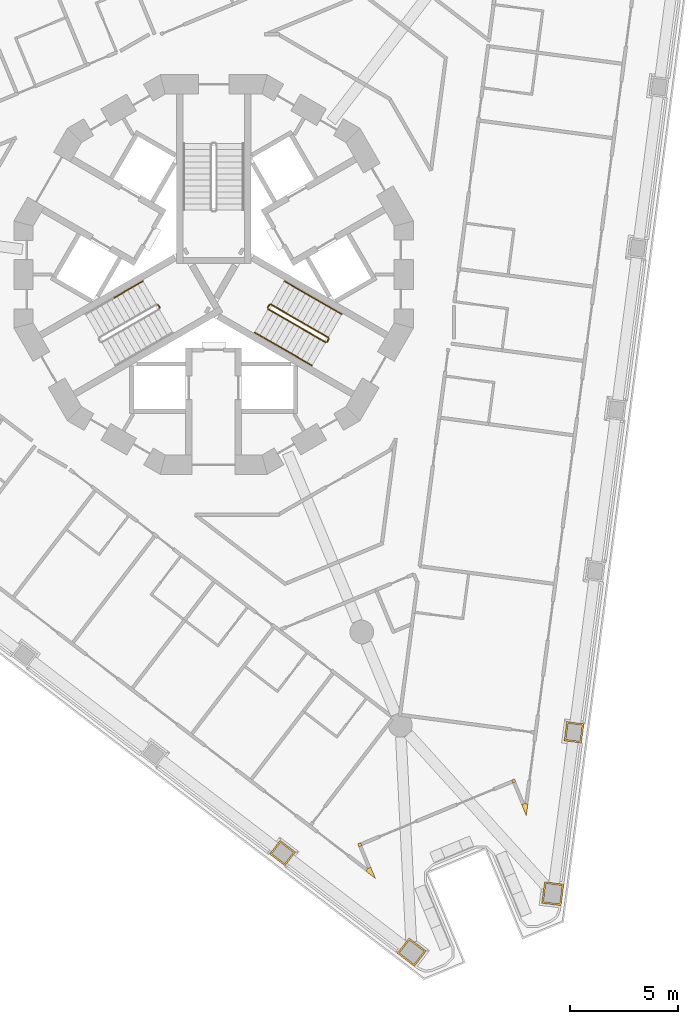
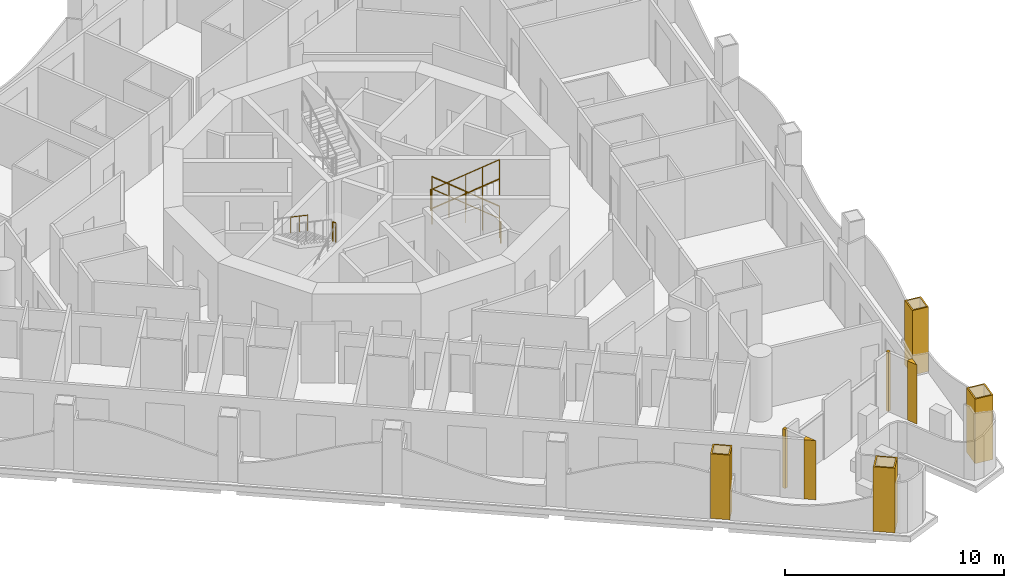
# One storey, part 14 of 18: 10 railings, 8 coverings.
"""IFC4 building model written with IfcOpenShell, lengths in metres."""

from ifc_helpers import new_model, si_unit, direction, frame, origin, origin_2d, place, context, subcontext, project, spatial, polyline, circle, outline, extrude, material, layer, layer_set, type_object, element, save


model = new_model("IFC4")

# Units and contexts
model_context = context("Model", 3, precision=1e-05, world=origin(), true_north=direction((0.0, 1.0)))
body_context = subcontext(model_context, "Body", "Model", "MODEL_VIEW")
ifc_project = project(units=[si_unit("LENGTHUNIT", "METRE"), si_unit("AREAUNIT", "SQUARE_METRE"), si_unit("VOLUMEUNIT", "CUBIC_METRE"), si_unit("PLANEANGLEUNIT", "RADIAN"), si_unit("MASSUNIT", "GRAM", prefix="KILO")], contexts=[model_context])

# Site, building, storey
site_placement = place(None, origin())
site = spatial("IfcSite", under=ifc_project, at=site_placement, CompositionType="ELEMENT")
building_placement = place(site_placement, origin())
building = spatial("IfcBuilding", under=site, at=building_placement, Name="Trine Commons Tower", CompositionType="ELEMENT")
storey_placement = place(building_placement, frame((0.0, 0.0, 145.800048828125)))
storey = spatial("IfcBuildingStorey", under=building, at=storey_placement, Name="L37", CompositionType="ELEMENT", Elevation=145.800048828125)

# Coverings
ifc_material_1 = material(Name="Aluminium-framed insulated wall panel", Category="aluminium")
ifc_layer_1 = layer(ifc_material_1, 0.14990234375)
ifc_layer_set_1 = layer_set([ifc_layer_1], Name="Aluminium-framed insulated wall panel")
covering_type_1 = type_object("IfcCoveringType", Name="Glazing corner post, aluminium", PredefinedType="CLADDING", material=ifc_layer_set_1)
covering_1_placement = place(storey_placement, origin())
element("IfcCovering", 1, at=covering_1_placement, inside=storey, type_object=covering_type_1, Name="Glazing corner post 4-09", PredefinedType="CLADDING", context=body_context, shape_type="SweptSolid", body=[
    extrude(outline(polyline([(94.2939453125, 37.89501953125), (94.50830078125, 37.377685546875), (94.581298828125, 37.932861328125), (94.4326171875, 37.952392578125), (94.4326171875, 37.952392578125), (94.2939453125, 37.89501953125)])), origin(), (0.0, 0.0, 1.0), 3.300048828125),
])
covering_2_placement = place(storey_placement, origin())
element("IfcCovering", 2, at=covering_2_placement, inside=storey, type_object=covering_type_1, Name="Glazing corner post 4-10", PredefinedType="CLADDING", context=body_context, shape_type="SweptSolid", body=[
    extrude(outline(polyline([(93.821044921875, 39.03662109375), (93.87841796875, 38.89794921875), (93.87841796875, 38.89794921875), (94.01708984375, 38.955322265625), (93.959716796875, 39.093994140625), (93.821044921875, 39.03662109375)])), origin(), (0.0, 0.0, 1.0), 3.300048828125),
])
covering_3_placement = place(storey_placement, origin())
element("IfcCovering", 3, at=covering_3_placement, inside=storey, type_object=covering_type_1, Name="Glazing corner post 4-11", PredefinedType="CLADDING", context=body_context, shape_type="SweptSolid", body=[
    extrude(outline(polyline([(86.73681640625, 35.93994140625), (86.87548828125, 35.997314453125), (86.818115234375, 36.135986328125), (86.679443359375, 36.07861328125), (86.73681640625, 35.93994140625)])), origin(), (0.0, 0.0, 1.0), 3.300048828125),
])
covering_4_placement = place(storey_placement, origin())
element("IfcCovering", 4, at=covering_4_placement, inside=storey, type_object=covering_type_1, Name="Glazing corner post 4-12", PredefinedType="CLADDING", context=body_context, shape_type="SweptSolid", body=[
    extrude(outline(polyline([(87.06103515625, 34.81787109375), (87.505126953125, 34.47705078125), (87.291015625, 34.994140625), (87.15234375, 34.936767578125), (87.06103515625, 34.81787109375)])), origin(), (0.0, 0.0, 1.0), 3.300048828125),
])
ifc_material_2 = material(Name="Limestone, honed", Category="masonry")
ifc_layer_2 = layer(ifc_material_2, 0.074951171875)
ifc_layer_set_2 = layer_set([ifc_layer_2], Name="Limestone, honed")
covering_type_2 = type_object("IfcCoveringType", Name="Limestone column cladding 75", PredefinedType="CLADDING", material=ifc_layer_set_2)
covering_5_placement = place(storey_placement, origin())
element("IfcCovering", 5, at=covering_5_placement, inside=storey, type_object=covering_type_2, Name="Limestone pier cladding 4-01", PredefinedType="CLADDING", context=body_context, shape_type="SweptSolid", body=[
    extrude(outline(polyline([(89.065673828125, 31.716796875), (88.517578125, 31.002685546875), (89.31103515625, 30.39404296875), (89.85888671875, 31.10791015625), (89.065673828125, 31.716796875)]), holes=[polyline([(89.079345703125, 31.611572265625), (88.622802734375, 31.0166015625), (89.297119140625, 30.499267578125), (89.75390625, 31.09423828125), (89.079345703125, 31.611572265625)])]), origin(), (0.0, 0.0, 1.0), 3.599853515625),
])
covering_6_placement = place(storey_placement, origin())
element("IfcCovering", 6, at=covering_6_placement, inside=storey, type_object=covering_type_2, Name="Limestone pier cladding 4-02", PredefinedType="CLADDING", context=body_context, shape_type="SweptSolid", body=[
    extrude(outline(polyline([(83.08349609375, 36.243896484375), (82.596435546875, 35.609375), (83.310302734375, 35.061279296875), (83.79736328125, 35.696044921875), (83.08349609375, 36.243896484375)]), holes=[polyline([(83.09716796875, 36.138916015625), (82.701416015625, 35.623046875), (83.296630859375, 35.16650390625), (83.6923828125, 35.682373046875), (83.09716796875, 36.138916015625)])]), origin(), (0.0, 0.0, 1.0), 3.599853515625),
])
covering_7_placement = place(storey_placement, origin())
element("IfcCovering", 7, at=covering_7_placement, inside=storey, type_object=covering_type_2, Name="Limestone pier cladding 4-23", PredefinedType="CLADDING", context=body_context, shape_type="SweptSolid", body=[
    extrude(outline(polyline([(97.1787109375, 41.6494140625), (96.385498046875, 41.75390625), (96.26806640625, 40.86181640625), (97.06103515625, 40.757080078125), (97.1787109375, 41.6494140625)]), holes=[polyline([(97.094482421875, 41.5849609375), (96.449951171875, 41.669921875), (96.35205078125, 40.92626953125), (96.99658203125, 40.84130859375), (97.094482421875, 41.5849609375)])]), origin(), (0.0, 0.0, 1.0), 3.599853515625),
])
covering_8_placement = place(storey_placement, origin())
element("IfcCovering", 8, at=covering_8_placement, inside=storey, type_object=covering_type_2, Name="Limestone pier cladding 4-24", PredefinedType="CLADDING", context=body_context, shape_type="SweptSolid", body=[
    extrude(outline(polyline([(96.2490234375, 34.205078125), (95.356689453125, 34.32275390625), (95.226318359375, 33.331298828125), (96.118408203125, 33.213623046875), (96.2490234375, 34.205078125)]), holes=[polyline([(96.164794921875, 34.140625), (95.42138671875, 34.238525390625), (95.310302734375, 33.395751953125), (96.053955078125, 33.2978515625), (96.164794921875, 34.140625)])]), origin(), (0.0, 0.0, 1.0), 3.599853515625),
])

# Railings
ifc_material_3 = material(Name="Stainless steel balustrade", Category="steel")
railing_type_1 = type_object("IfcRailingType", Name="Stair guard, steel balustrade 1100", PredefinedType="GUARDRAIL", material=ifc_material_3)
railing_1_placement = place(storey_placement, frame((77.490966796875, 60.96484375, 1.800048828125)))
element("IfcRailing", 9, at=railing_1_placement, inside=storey, type_object=railing_type_1, Name="L37 ST2B stair guard 2", PredefinedType="GUARDRAIL", context=body_context, shape_type="SweptSolid", body=[
    extrude(circle(Radius=0.02392578125, at=origin_2d()), frame((0.0, 0.0, 1.076171875), z_axis=(-0.501036270542, 0.865426285481, 0.0), x_axis=(-0.865426285481, -0.501036270542, 0.0)), (0.0, 0.0, 1.0), 0.150146484375),
    extrude(circle(Radius=0.02099609375, at=origin_2d()), origin(), (0.0, 0.0, 1.0), 1.052001953125),
    extrude(circle(Radius=0.02099609375, at=origin_2d()), frame((-0.0751953125, 0.1298828125, 0.0)), (0.0, 0.0, 1.0), 1.052001953125),
])
railing_2_placement = place(storey_placement, frame((85.31982421875, 59.572998046875, 0.14990234375)))
element("IfcRailing", 10, at=railing_2_placement, inside=storey, type_object=railing_type_1, Name="L37 ST3B stair guard 1", PredefinedType="GUARDRAIL", context=body_context, shape_type="SweptSolid", body=[
    extrude(circle(Radius=0.02392578125, at=origin_2d()), frame((0.0, 0.0, 1.076171875), z_axis=(-0.763379768245, 0.440728498818, 0.472239049384), x_axis=(-0.499992328818, -0.866029832698, 0.0)), (0.0, 0.0, 1.0), 3.494384765625),
    extrude(circle(Radius=0.02099609375, at=origin_2d()), origin(), (0.0, 0.0, 1.0), 1.052001953125),
    extrude(circle(Radius=0.02099609375, at=origin_2d()), frame((-0.6669921875, 0.385009765625, 0.41259765625)), (0.0, 0.0, 1.0), 1.052001953125),
    extrude(circle(Radius=0.02099609375, at=origin_2d()), frame((-1.333740234375, 0.77001953125, 0.8251953125)), (0.0, 0.0, 1.0), 1.052001953125),
    extrude(circle(Radius=0.02099609375, at=origin_2d()), frame((-2.00048828125, 1.155029296875, 1.237548828125)), (0.0, 0.0, 1.0), 1.052001953125),
    extrude(circle(Radius=0.02099609375, at=origin_2d()), frame((-2.66748046875, 1.5400390625, 1.650146484375)), (0.0, 0.0, 1.0), 1.052001953125),
])
railing_3_placement = place(storey_placement, frame((82.584228515625, 61.0947265625, 1.800048828125)))
element("IfcRailing", 11, at=railing_3_placement, inside=storey, type_object=railing_type_1, Name="L37 ST3B stair guard 2", PredefinedType="GUARDRAIL", context=body_context, shape_type="SweptSolid", body=[
    extrude(circle(Radius=0.02392578125, at=origin_2d()), frame((0.0, 0.0, 1.076171875), z_axis=(-0.501036270542, -0.865426285481, 0.0), x_axis=(0.865426285481, -0.501036270542, 0.0)), (0.0, 0.0, 1.0), 0.150146484375),
    extrude(circle(Radius=0.02099609375, at=origin_2d()), origin(), (0.0, 0.0, 1.0), 1.052001953125),
    extrude(circle(Radius=0.02099609375, at=origin_2d()), frame((-0.0751953125, -0.1298828125, 0.0)), (0.0, 0.0, 1.0), 1.052001953125),
])
railing_4_placement = place(storey_placement, frame((82.52734375, 60.896484375, 1.949951171875)))
element("IfcRailing", 12, at=railing_4_placement, inside=storey, type_object=railing_type_1, Name="L37 ST3B stair guard 3", PredefinedType="GUARDRAIL", context=body_context, shape_type="SweptSolid", body=[
    extrude(circle(Radius=0.02392578125, at=origin_2d()), frame((0.0, 0.0, 1.076171875), z_axis=(0.76340495495, -0.440743040072, 0.472184759798), x_axis=(0.499992328818, 0.866029832698, 0.0)), (0.0, 0.0, 1.0), 3.494140625),
    extrude(circle(Radius=0.02099609375, at=origin_2d()), origin(), (0.0, 0.0, 1.0), 1.052001953125),
    extrude(circle(Radius=0.02099609375, at=origin_2d()), frame((0.6669921875, -0.385009765625, 0.41259765625)), (0.0, 0.0, 1.0), 1.052001953125),
    extrude(circle(Radius=0.02099609375, at=origin_2d()), frame((1.333740234375, -0.77001953125, 0.824951171875)), (0.0, 0.0, 1.0), 1.052001953125),
    extrude(circle(Radius=0.02099609375, at=origin_2d()), frame((2.00048828125, -1.155029296875, 1.2373046875)), (0.0, 0.0, 1.0), 1.052001953125),
    extrude(circle(Radius=0.02099609375, at=origin_2d()), frame((2.66748046875, -1.5400390625, 1.64990234375)), (0.0, 0.0, 1.0), 1.052001953125),
])
railing_5_placement = place(storey_placement, frame((85.338134765625, 59.504638671875, 0.0)))
element("IfcRailing", 13, at=railing_5_placement, inside=storey, type_object=railing_type_1, Name="L37 ST3B stair guard 4", PredefinedType="GUARDRAIL", context=body_context, shape_type="SweptSolid", body=[
    extrude(circle(Radius=0.02392578125, at=origin_2d()), frame((0.0, 0.0, 1.076171875), z_axis=(-0.499816412211, -0.866131372301, 0.0), x_axis=(0.866131372301, -0.499816412211, 0.0)), (0.0, 0.0, 1.0), 0.14990234375),
    extrude(circle(Radius=0.02099609375, at=origin_2d()), origin(), (0.0, 0.0, 1.0), 1.052001953125),
    extrude(circle(Radius=0.02099609375, at=origin_2d()), frame((-0.074951171875, -0.1298828125, 0.0)), (0.0, 0.0, 1.0), 1.052001953125),
])
ifc_material_4 = material(Name="Stainless steel handrail", Category="steel")
railing_type_2 = type_object("IfcRailingType", Name="Stair handrail, steel 900", PredefinedType="HANDRAIL", material=ifc_material_4)
railing_6_placement = place(storey_placement, frame((76.72265625, 62.195556640625, 1.949951171875)))
element("IfcRailing", 14, at=railing_6_placement, inside=storey, type_object=railing_type_2, Name="L37 ST2B stair handrail 3", PredefinedType="HANDRAIL", context=body_context, shape_type="SweptSolid", body=[
    extrude(circle(Radius=0.02099609375, at=origin_2d()), frame((0.0, 0.0, 0.87890625), z_axis=(-0.76340495495, -0.440743040072, 0.472184759798), x_axis=(0.499992328818, -0.866029832698, 0.0)), (0.0, 0.0, 1.0), 1.7470703125),
    extrude(circle(Radius=0.01513671875, at=origin_2d()), origin(), (0.0, 0.0, 1.0), 0.85791015625),
    extrude(circle(Radius=0.01513671875, at=origin_2d()), frame((-0.6669921875, -0.385009765625, 0.41259765625)), (0.0, 0.0, 1.0), 0.85791015625),
    extrude(circle(Radius=0.01513671875, at=origin_2d()), frame((-1.333740234375, -0.77001953125, 0.824951171875)), (0.0, 0.0, 1.0), 0.85791015625),
])
railing_7_placement = place(storey_placement, frame((85.94482421875, 60.655517578125, 0.14990234375)))
element("IfcRailing", 15, at=railing_7_placement, inside=storey, type_object=railing_type_2, Name="L37 ST3B stair handrail 1", PredefinedType="HANDRAIL", context=body_context, shape_type="SweptSolid", body=[
    extrude(circle(Radius=0.02099609375, at=origin_2d()), frame((0.0, 0.0, 0.87890625), z_axis=(-0.76340495495, 0.440743040072, 0.472184759798), x_axis=(-0.499992328818, -0.866029832698, 0.0)), (0.0, 0.0, 1.0), 1.7470703125),
    extrude(circle(Radius=0.01513671875, at=origin_2d()), origin(), (0.0, 0.0, 1.0), 0.85791015625),
    extrude(circle(Radius=0.01513671875, at=origin_2d()), frame((-0.6669921875, 0.385009765625, 0.41259765625)), (0.0, 0.0, 1.0), 0.85791015625),
    extrude(circle(Radius=0.01513671875, at=origin_2d()), frame((-1.333740234375, 0.77001953125, 0.824951171875)), (0.0, 0.0, 1.0), 0.85791015625),
])
railing_8_placement = place(storey_placement, frame((84.611083984375, 61.425537109375, 0.974853515625)))
element("IfcRailing", 16, at=railing_8_placement, inside=storey, type_object=railing_type_2, Name="L37 ST3B stair handrail 2", PredefinedType="HANDRAIL", context=body_context, shape_type="SweptSolid", body=[
    extrude(circle(Radius=0.02099609375, at=origin_2d()), frame((0.0, 0.0, 0.87890625), z_axis=(-0.763354580307, 0.440713956853, 0.472293333596), x_axis=(-0.499992328818, -0.866029832698, 0.0)), (0.0, 0.0, 1.0), 1.747314453125),
    extrude(circle(Radius=0.01513671875, at=origin_2d()), origin(), (0.0, 0.0, 1.0), 0.85791015625),
    extrude(circle(Radius=0.01513671875, at=origin_2d()), frame((-0.6669921875, 0.385009765625, 0.41259765625)), (0.0, 0.0, 1.0), 0.85791015625),
    extrude(circle(Radius=0.01513671875, at=origin_2d()), frame((-1.333740234375, 0.77001953125, 0.8251953125)), (0.0, 0.0, 1.0), 0.85791015625),
])
for number, where, name in (
    (17, (81.90234375, 59.81396484375, 1.949951171875), "L37 ST3B stair handrail 3"),
    (18, (83.236083984375, 59.0439453125, 2.77490234375), "L37 ST3B stair handrail 4"),
):
    element("IfcRailing", number, at=place(storey_placement, frame(where)), inside=storey, type_object=railing_type_2, Name=name, PredefinedType="HANDRAIL", context=body_context, shape_type="SweptSolid", body=[
        extrude(circle(Radius=0.02099609375, at=origin_2d()), frame((0.0, 0.0, 0.87890625), z_axis=(0.76340495495, -0.440743040072, 0.472184759798), x_axis=(0.499992328818, 0.866029832698, 0.0)), (0.0, 0.0, 1.0), 1.7470703125),
        extrude(circle(Radius=0.01513671875, at=origin_2d()), origin(), (0.0, 0.0, 1.0), 0.85791015625),
        extrude(circle(Radius=0.01513671875, at=origin_2d()), frame((0.6669921875, -0.385009765625, 0.41259765625)), (0.0, 0.0, 1.0), 0.85791015625),
        extrude(circle(Radius=0.01513671875, at=origin_2d()), frame((1.333740234375, -0.77001953125, 0.824951171875)), (0.0, 0.0, 1.0), 0.85791015625),
    ])

save(model, "model.ifc")
